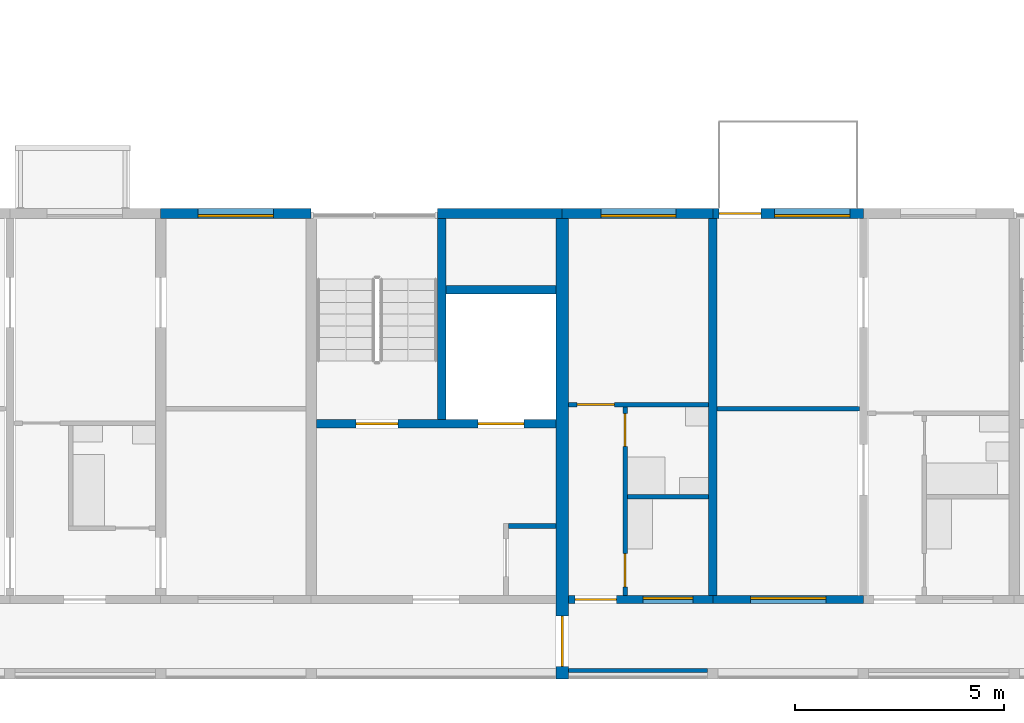
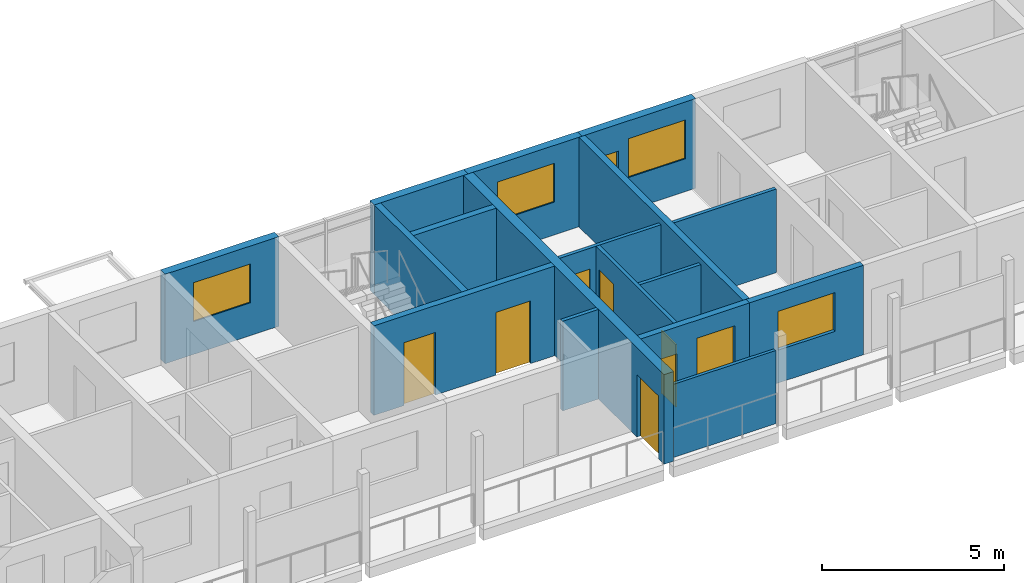
# One storey, part 47 of 99: 17 walls, 8 doors, 5 windows, 13 openings.
"""IFC4 building model written with IfcOpenShell, lengths in metres."""

from ifc_helpers import new_model, si_unit, direction, frame, frame_2d, origin, place, context, subcontext, project, spatial, rectangle, extrude, material, layer, layer_set, type_object, element, fill, save


model = new_model("IFC4")

# Units and contexts
model_context = context("Model", 3, precision=1e-05, world=origin(), true_north=direction((0.0, 1.0)))
body_context = subcontext(model_context, "Body", "Model", "MODEL_VIEW")
ifc_project = project(units=[si_unit("LENGTHUNIT", "METRE"), si_unit("AREAUNIT", "SQUARE_METRE"), si_unit("VOLUMEUNIT", "CUBIC_METRE"), si_unit("PLANEANGLEUNIT", "RADIAN"), si_unit("MASSUNIT", "GRAM", prefix="KILO")], contexts=[model_context])

# Site, building, storey
site_placement = place(None, origin())
site = spatial("IfcSite", under=ifc_project, at=site_placement, CompositionType="ELEMENT")
building_placement = place(site_placement, origin())
building = spatial("IfcBuilding", under=site, at=building_placement, Name="Ridgestep Commons", CompositionType="ELEMENT")
storey_placement = place(building_placement, frame((0.0, 0.0, 15.0)))
storey = spatial("IfcBuildingStorey", under=building, at=storey_placement, Name="L05", CompositionType="ELEMENT", Elevation=15.0)

# Wall
ifc_material_1 = material(Name="Concrete C30/37", Category="concrete")
ifc_layer_1 = layer(ifc_material_1, 0.1201171875)
ifc_layer_set_1 = layer_set([ifc_layer_1], Name="Core wall 120")
wall_type_1 = type_object("IfcWallType", Name="Core wall 120", PredefinedType="SHEAR", material=ifc_layer_set_1)
wall_1_placement = place(storey_placement, frame((195.919921875, 15.409912109375, 0.0), z_axis=(0.0, 0.0, 1.0), x_axis=(1.0, 0.0, 0.0)))
element("IfcWall", 1, at=wall_1_placement, inside=storey, type_object=wall_type_1, Name="Core riser n wall D3C L05", PredefinedType="SHEAR", context=body_context, shape_type="SweptSolid", body=[
    extrude(rectangle(XDim=1.130126953125, YDim=0.1201171875, at=frame_2d((0.56494140625, 0.0))), origin(), (0.0, 0.0, 1.0), 3.0),
])

# Wall, openings, doors
ifc_material_2 = material(Name="Concrete C30/37", Category="concrete")
ifc_layer_2 = layer(ifc_material_2, 0.199951171875)
ifc_layer_set_2 = layer_set([ifc_layer_2], Name="Core wall 200")
wall_type_2 = type_object("IfcWallType", Name="Core wall 200", PredefinedType="SHEAR", material=ifc_layer_set_2)
wall_2_placement = place(storey_placement, frame((191.324951171875, 17.85009765625, 0.0), z_axis=(0.0, 0.0, 1.0), x_axis=(1.0, 0.0, 0.0)))
wall_2 = element("IfcWall", 2, at=wall_2_placement, inside=storey, type_object=wall_type_2, Name="Core lobby wall D3C L05", PredefinedType="SHEAR", context=body_context, shape_type="SweptSolid", body=[
    extrude(rectangle(XDim=5.72509765625, YDim=0.199951171875, at=frame_2d((2.862548828125, 0.0))), origin(), (0.0, 0.0, 1.0), 3.0),
])
opening_1_placement = place(wall_2_placement, frame((0.949951171875, 0.0, 0.0)))
opening_1 = element("IfcOpeningElement", 3, at=opening_1_placement, cuts=wall_2, Name="Opening D3C/05/2", PredefinedType="OPENING", context=body_context, shape_type="SweptSolid", body=[
    extrude(rectangle(XDim=1.0, YDim=2.10009765625, at=frame_2d((0.5, 1.050048828125))), frame((0.0, 0.10986328125, 0.0), z_axis=(0.0, -1.0, 0.0), x_axis=(1.0, 0.0, 0.0)), (0.0, 0.0, 1.0), 0.219970703125),
])
opening_2_placement = place(wall_2_placement, frame((3.862548828125, 0.0, 0.0)))
opening_2 = element("IfcOpeningElement", 4, at=opening_2_placement, cuts=wall_2, Name="Opening D3C/05/3", PredefinedType="OPENING", context=body_context, shape_type="SweptSolid", body=[
    extrude(rectangle(XDim=1.10009765625, YDim=2.10009765625, at=frame_2d((0.550048828125, 1.050048828125))), frame((0.0, 0.10986328125, 0.0), z_axis=(0.0, -1.0, 0.0), x_axis=(1.0, 0.0, 0.0)), (0.0, 0.0, 1.0), 0.219970703125),
])
ifc_material_3 = material(Name="Stainless steel", Category="steel")
door_type_1 = type_object("IfcDoorType", Name="Lift landing door 1100 x 2100 FD60", OperationType="DOUBLE_DOOR_SLIDING", PredefinedType="DOOR", material=ifc_material_3)
door_1_placement = place(opening_2_placement, origin())
door_1 = element("IfcDoor", 5, at=door_1_placement, inside=storey, type_object=door_type_1, Name="Landing door LD D3C L05", OperationType="DOUBLE_DOOR_SLIDING", OverallHeight=2.10009765625, OverallWidth=1.10009765625, PredefinedType="DOOR", context=body_context, shape_type="SweptSolid", body=[
    extrude(rectangle(XDim=1.10009765625, YDim=2.10009765625, at=frame_2d((0.550048828125, 1.050048828125))), frame((0.0, 0.02490234375, 0.0), z_axis=(0.0, -1.0, 0.0), x_axis=(1.0, 0.0, 0.0)), (0.0, 0.0, 1.0), 0.050048828125),
])
fill(opening_2, door_1)
ifc_material_4 = material(Name="Steel fire door", Category="steel")
door_type_2 = type_object("IfcDoorType", Name="Stair door 1000 x 2100 FD60", OperationType="NOTDEFINED", PredefinedType="DOOR", material=ifc_material_4)
door_2_placement = place(opening_1_placement, origin())
door_2 = element("IfcDoor", 6, at=door_2_placement, inside=storey, type_object=door_type_2, Name="Stair door D3C/05/2", OperationType="SINGLE_SWING_RIGHT", OverallHeight=2.10009765625, OverallWidth=1.0, PredefinedType="DOOR", context=body_context, shape_type="SweptSolid", body=[
    extrude(rectangle(XDim=1.0, YDim=2.10009765625, at=frame_2d((0.5, 1.050048828125))), frame((0.0, 0.02490234375, 0.0), z_axis=(0.0, -1.0, 0.0), x_axis=(1.0, 0.0, 0.0)), (0.0, 0.0, 1.0), 0.050048828125),
])
fill(opening_1, door_2)

# Walls
wall_3_placement = place(storey_placement, frame((194.324951171875, 17.949951171875, 0.0), z_axis=(0.0, 0.0, 1.0), x_axis=(0.0, 1.0, 0.0)))
element("IfcWall", 7, at=wall_3_placement, inside=storey, type_object=wall_type_2, Name="Core stair wall D3C L05", PredefinedType="SHEAR", context=body_context, shape_type="SweptSolid", body=[
    extrude(rectangle(XDim=4.800048828125, YDim=0.199951171875, at=frame_2d((2.39990234375, 0.0))), origin(), (0.0, 0.0, 1.0), 3.0),
])
wall_4_placement = place(storey_placement, frame((194.425048828125, 21.050048828125, 0.0), z_axis=(0.0, 0.0, 1.0), x_axis=(1.0, 0.0, 0.0)))
element("IfcWall", 8, at=wall_4_placement, inside=storey, type_object=wall_type_2, Name="Core duct wall D3C L05", PredefinedType="SHEAR", context=body_context, shape_type="SweptSolid", body=[
    extrude(rectangle(XDim=2.625, YDim=0.199951171875, at=frame_2d((1.3125, 0.0))), origin(), (0.0, 0.0, 1.0), 3.0),
])
ifc_material_5 = material(Name="Precast concrete C40/50", Category="concrete")
ifc_layer_3 = layer(ifc_material_5, 0.199951171875)
ifc_layer_set_3 = layer_set([ifc_layer_3], Name="Cross wall 200")
wall_type_3 = type_object("IfcWallType", Name="Cross wall 200", PredefinedType="SHEAR", material=ifc_layer_set_3)
wall_5_placement = place(storey_placement, frame((200.800048828125, 13.75, 0.0), z_axis=(0.0, 0.0, 1.0), x_axis=(0.0, 1.0, 0.0)))
element("IfcWall", 9, at=wall_5_placement, inside=storey, type_object=wall_type_3, Name="Cross wall D-05-2008", PredefinedType="SHEAR", context=body_context, shape_type="SweptSolid", body=[
    extrude(rectangle(XDim=9.0, YDim=0.199951171875, at=frame_2d((4.5, 0.0))), origin(), (0.0, 0.0, 1.0), 3.0),
])

# Wall, opening, door
ifc_material_6 = material(Name="Precast concrete C40/50", Category="concrete")
ifc_layer_4 = layer(ifc_material_6, 0.300048828125)
ifc_layer_set_4 = layer_set([ifc_layer_4], Name="Division wall 300")
wall_type_4 = type_object("IfcWallType", Name="Division wall 300", PredefinedType="SHEAR", material=ifc_layer_set_4)
wall_6_placement = place(storey_placement, frame((197.199951171875, 11.75, 0.0), z_axis=(0.0, 0.0, 1.0), x_axis=(0.0, 1.0, 0.0)))
wall_6 = element("IfcWall", 10, at=wall_6_placement, inside=storey, type_object=wall_type_4, Name="Cross wall D-05-1972", PredefinedType="SHEAR", context=body_context, shape_type="SweptSolid", body=[
    extrude(rectangle(XDim=11.0, YDim=0.300048828125, at=frame_2d((5.5, 0.0))), origin(), (0.0, 0.0, 1.0), 3.0),
])
opening_3_placement = place(wall_6_placement, frame((0.300048828125, 0.0, 0.0)))
opening_3 = element("IfcOpeningElement", 11, at=opening_3_placement, cuts=wall_6, Name="Opening D/05/G1972", PredefinedType="OPENING", context=body_context, shape_type="SweptSolid", body=[
    extrude(rectangle(XDim=1.199951171875, YDim=2.10009765625, at=frame_2d((0.60009765625, 1.050048828125))), frame((0.0, 0.159912109375, 0.0), z_axis=(0.0, -1.0, 0.0), x_axis=(1.0, 0.0, 0.0)), (0.0, 0.0, 1.0), 0.320068359375),
])
ifc_material_7 = material(Name="Steel fire door", Category="steel")
door_type_3 = type_object("IfcDoorType", Name="Division fire door 1200 x 2100 EI 240", OperationType="DOUBLE_DOOR_SINGLE_SWING", PredefinedType="DOOR", material=ifc_material_7)
door_3_placement = place(opening_3_placement, origin())
door_3 = element("IfcDoor", 12, at=door_3_placement, inside=storey, type_object=door_type_3, Name="Division fire door D/05/G1972", OperationType="DOUBLE_DOOR_SINGLE_SWING", OverallHeight=2.10009765625, OverallWidth=1.199951171875, PredefinedType="DOOR", context=body_context, shape_type="SweptSolid", body=[
    extrude(rectangle(XDim=1.199951171875, YDim=2.10009765625, at=frame_2d((0.60009765625, 1.050048828125))), frame((0.0, 0.02490234375, 0.0), z_axis=(0.0, -1.0, 0.0), x_axis=(1.0, 0.0, 0.0)), (0.0, 0.0, 1.0), 0.050048828125),
])
fill(opening_3, door_3)

# Wall, opening, window
ifc_material_8 = material(Name="Precast concrete C40/50", Category="concrete")
ifc_layer_5 = layer(ifc_material_8, 0.25)
ifc_layer_set_5 = layer_set([ifc_layer_5], Name="North facade panel 250")
wall_type_5 = type_object("IfcWallType", Name="North facade panel 250", PredefinedType="SOLIDWALL", material=ifc_layer_set_5)
wall_7_placement = place(storey_placement, frame((187.60009765625, 22.875, 0.0), z_axis=(0.0, 0.0, 1.0), x_axis=(1.0, 0.0, 0.0)))
wall_7 = element("IfcWall", 13, at=wall_7_placement, inside=storey, type_object=wall_type_5, Name="North panel D3T3 L05", PredefinedType="SOLIDWALL", context=body_context, shape_type="SweptSolid", body=[
    extrude(rectangle(XDim=3.599853515625, YDim=0.25, at=frame_2d((1.7998046875, 0.0))), origin(), (0.0, 0.0, 1.0), 3.0),
])
opening_4_placement = place(wall_7_placement, frame((0.89990234375, 0.0, 1.10009765625)))
opening_4 = element("IfcOpeningElement", 14, at=opening_4_placement, cuts=wall_7, Name="Opening W18", PredefinedType="OPENING", context=body_context, shape_type="SweptSolid", body=[
    extrude(rectangle(XDim=1.800048828125, YDim=1.300048828125, at=frame_2d((0.89990234375, 0.64990234375))), frame((0.0, 0.135009765625, 0.0), z_axis=(0.0, -1.0, 0.0), x_axis=(1.0, 0.0, 0.0)), (0.0, 0.0, 1.0), 0.27001953125),
])
ifc_material_9 = material(Name="Aluminium 6063-T6 and glass", Category="aluminium")
window_type_1 = type_object("IfcWindowType", Name="Flat window 1800 x 1300", PartitioningType="DOUBLE_PANEL_VERTICAL", PredefinedType="WINDOW", material=ifc_material_9)
window_1_placement = place(opening_4_placement, origin())
window_1 = element("IfcWindow", 15, at=window_1_placement, inside=storey, type_object=window_type_1, Name="Window D3-05a 4", OverallHeight=1.300048828125, OverallWidth=1.800048828125, PartitioningType="SINGLE_PANEL", PredefinedType="WINDOW", context=body_context, shape_type="SweptSolid", body=[
    extrude(rectangle(XDim=1.800048828125, YDim=1.300048828125, at=frame_2d((0.89990234375, 0.64990234375))), frame((0.0, -0.02490234375, 0.0), z_axis=(0.0, -1.0, 0.0), x_axis=(1.0, 0.0, 0.0)), (0.0, 0.0, 1.0), 0.06005859375),
])
fill(opening_4, window_1)

# Wall
wall_8_placement = place(storey_placement, frame((194.22509765625, 22.875, 0.0), z_axis=(0.0, 0.0, 1.0), x_axis=(1.0, 0.0, 0.0)))
element("IfcWall", 16, at=wall_8_placement, inside=storey, type_object=wall_type_5, Name="North panel D3C L05", PredefinedType="SOLIDWALL", context=body_context, shape_type="SweptSolid", body=[
    extrude(rectangle(XDim=2.974853515625, YDim=0.25, at=frame_2d((1.4873046875, 0.0))), origin(), (0.0, 0.0, 1.0), 3.0),
])

# Wall, opening, window
wall_9_placement = place(storey_placement, frame((197.199951171875, 22.875, 0.0), z_axis=(0.0, 0.0, 1.0), x_axis=(1.0, 0.0, 0.0)))
wall_9 = element("IfcWall", 17, at=wall_9_placement, inside=storey, type_object=wall_type_5, Name="North panel D4T1 L05", PredefinedType="SOLIDWALL", context=body_context, shape_type="SweptSolid", body=[
    extrude(rectangle(XDim=3.60009765625, YDim=0.25, at=frame_2d((1.800048828125, 0.0))), origin(), (0.0, 0.0, 1.0), 3.0),
])
opening_5_placement = place(wall_9_placement, frame((0.925048828125, 0.0, 1.10009765625)))
opening_5 = element("IfcOpeningElement", 18, at=opening_5_placement, cuts=wall_9, Name="Opening W18", PredefinedType="OPENING", context=body_context, shape_type="SweptSolid", body=[
    extrude(rectangle(XDim=1.800048828125, YDim=1.300048828125, at=frame_2d((0.89990234375, 0.64990234375))), frame((0.0, 0.135009765625, 0.0), z_axis=(0.0, -1.0, 0.0), x_axis=(1.0, 0.0, 0.0)), (0.0, 0.0, 1.0), 0.27001953125),
])
window_2_placement = place(opening_5_placement, origin())
window_2 = element("IfcWindow", 19, at=window_2_placement, inside=storey, type_object=window_type_1, Name="Window D4-05a 2", OverallHeight=1.300048828125, OverallWidth=1.800048828125, PartitioningType="SINGLE_PANEL", PredefinedType="WINDOW", context=body_context, shape_type="SweptSolid", body=[
    extrude(rectangle(XDim=1.800048828125, YDim=1.300048828125, at=frame_2d((0.89990234375, 0.64990234375))), frame((0.0, -0.02490234375, 0.0), z_axis=(0.0, -1.0, 0.0), x_axis=(1.0, 0.0, 0.0)), (0.0, 0.0, 1.0), 0.06005859375),
])
fill(opening_5, window_2)

# Wall, openings, door, window
wall_10_placement = place(storey_placement, frame((200.800048828125, 22.875, 0.0), z_axis=(0.0, 0.0, 1.0), x_axis=(1.0, 0.0, 0.0)))
wall_10 = element("IfcWall", 20, at=wall_10_placement, inside=storey, type_object=wall_type_5, Name="North panel D4T2 L05", PredefinedType="SOLIDWALL", context=body_context, shape_type="SweptSolid", body=[
    extrude(rectangle(XDim=3.599853515625, YDim=0.25, at=frame_2d((1.7998046875, 0.0))), origin(), (0.0, 0.0, 1.0), 3.0),
])
opening_6_placement = place(wall_10_placement, frame((1.47509765625, 0.0, 1.10009765625)))
opening_6 = element("IfcOpeningElement", 21, at=opening_6_placement, cuts=wall_10, Name="Opening W18", PredefinedType="OPENING", context=body_context, shape_type="SweptSolid", body=[
    extrude(rectangle(XDim=1.800048828125, YDim=1.300048828125, at=frame_2d((0.89990234375, 0.64990234375))), frame((0.0, 0.135009765625, 0.0), z_axis=(0.0, -1.0, 0.0), x_axis=(1.0, 0.0, 0.0)), (0.0, 0.0, 1.0), 0.27001953125),
])
opening_7_placement = place(wall_10_placement, frame((0.14990234375, 0.0, 0.0)))
opening_7 = element("IfcOpeningElement", 22, at=opening_7_placement, cuts=wall_10, Name="Opening D4-05b/7", PredefinedType="OPENING", context=body_context, shape_type="SweptSolid", body=[
    extrude(rectangle(XDim=1.0, YDim=2.10009765625, at=frame_2d((0.5, 1.050048828125))), frame((0.0, 0.135009765625, 0.0), z_axis=(0.0, -1.0, 0.0), x_axis=(1.0, 0.0, 0.0)), (0.0, 0.0, 1.0), 0.27001953125),
])
ifc_material_10 = material(Name="Aluminium and glass", Category="aluminium")
door_type_4 = type_object("IfcDoorType", Name="Balcony door 1000 x 2100", OperationType="NOTDEFINED", PredefinedType="DOOR", material=ifc_material_10)
door_4_placement = place(opening_7_placement, origin())
door_4 = element("IfcDoor", 23, at=door_4_placement, inside=storey, type_object=door_type_4, Name="Balcony door D4-05b/7", OperationType="SINGLE_SWING_RIGHT", OverallHeight=2.10009765625, OverallWidth=1.0, PredefinedType="DOOR", context=body_context, shape_type="SweptSolid", body=[
    extrude(rectangle(XDim=1.0, YDim=2.10009765625, at=frame_2d((0.5, 1.050048828125))), frame((0.0, 0.02490234375, 0.0), z_axis=(0.0, -1.0, 0.0), x_axis=(1.0, 0.0, 0.0)), (0.0, 0.0, 1.0), 0.050048828125),
])
fill(opening_7, door_4)
window_3_placement = place(opening_6_placement, origin())
window_3 = element("IfcWindow", 24, at=window_3_placement, inside=storey, type_object=window_type_1, Name="Window D4-05b 2", OverallHeight=1.300048828125, OverallWidth=1.800048828125, PartitioningType="SINGLE_PANEL", PredefinedType="WINDOW", context=body_context, shape_type="SweptSolid", body=[
    extrude(rectangle(XDim=1.800048828125, YDim=1.300048828125, at=frame_2d((0.89990234375, 0.64990234375))), frame((0.0, -0.02490234375, 0.0), z_axis=(0.0, -1.0, 0.0), x_axis=(1.0, 0.0, 0.0)), (0.0, 0.0, 1.0), 0.06005859375),
])
fill(opening_6, window_3)

# Wall, openings, doors
ifc_material_11 = material(Name="Common brick 110 mm", Category="masonry")
ifc_layer_6 = layer(ifc_material_11, 0.110107421875)
ifc_layer_set_6 = layer_set([ifc_layer_6], Name="Partition 110")
wall_type_6 = type_object("IfcWallType", Name="Partition 110", PredefinedType="PARTITIONING", material=ifc_layer_set_6)
wall_11_placement = place(storey_placement, frame((198.705078125, 13.75, 0.0), z_axis=(0.0, 0.0, 1.0), x_axis=(0.0, 1.0, 0.0)))
wall_11 = element("IfcWall", 25, at=wall_11_placement, inside=storey, type_object=wall_type_6, Name="Partition D4-05a", PredefinedType="PARTITIONING", context=body_context, shape_type="SweptSolid", body=[
    extrude(rectangle(XDim=4.5, YDim=0.110107421875, at=frame_2d((2.25, 0.0))), origin(), (0.0, 0.0, 1.0), 2.800048828125),
])
opening_8_placement = place(wall_11_placement, frame((0.199951171875, 0.0, 0.0)))
opening_8 = element("IfcOpeningElement", 26, at=opening_8_placement, cuts=wall_11, Name="Opening D4-05a/2", PredefinedType="OPENING", context=body_context, shape_type="SweptSolid", body=[
    extrude(rectangle(XDim=0.800048828125, YDim=2.10009765625, at=frame_2d((0.39990234375, 1.050048828125))), frame((0.0, 0.06494140625, 0.0), z_axis=(0.0, -1.0, 0.0), x_axis=(1.0, 0.0, 0.0)), (0.0, 0.0, 1.0), 0.130126953125),
])
opening_9_placement = place(wall_11_placement, frame((3.550048828125, 0.0, 0.0)))
opening_9 = element("IfcOpeningElement", 27, at=opening_9_placement, cuts=wall_11, Name="Opening D4-05a/3", PredefinedType="OPENING", context=body_context, shape_type="SweptSolid", body=[
    extrude(rectangle(XDim=0.800048828125, YDim=2.10009765625, at=frame_2d((0.39990234375, 1.050048828125))), frame((0.0, 0.06494140625, 0.0), z_axis=(0.0, -1.0, 0.0), x_axis=(1.0, 0.0, 0.0)), (0.0, 0.0, 1.0), 0.130126953125),
])
ifc_material_12 = material(Name="Timber door leaf", Category="wood")
door_type_5 = type_object("IfcDoorType", Name="Internal door 800 x 2100", OperationType="NOTDEFINED", PredefinedType="DOOR", material=ifc_material_12)
door_5_placement = place(opening_8_placement, origin())
door_5 = element("IfcDoor", 28, at=door_5_placement, inside=storey, type_object=door_type_5, Name="Internal door D4-05a/2", OperationType="SINGLE_SWING_RIGHT", OverallHeight=2.10009765625, OverallWidth=0.800048828125, PredefinedType="DOOR", context=body_context, shape_type="SweptSolid", body=[
    extrude(rectangle(XDim=0.800048828125, YDim=2.10009765625, at=frame_2d((0.39990234375, 1.050048828125))), frame((0.0, 0.02490234375, 0.0), z_axis=(0.0, -1.0, 0.0), x_axis=(1.0, 0.0, 0.0)), (0.0, 0.0, 1.0), 0.050048828125),
])
fill(opening_8, door_5)
door_6_placement = place(opening_9_placement, origin())
door_6 = element("IfcDoor", 29, at=door_6_placement, inside=storey, type_object=door_type_5, Name="Internal door D4-05a/3", OperationType="SINGLE_SWING_LEFT", OverallHeight=2.10009765625, OverallWidth=0.800048828125, PredefinedType="DOOR", context=body_context, shape_type="SweptSolid", body=[
    extrude(rectangle(XDim=0.800048828125, YDim=2.10009765625, at=frame_2d((0.39990234375, 1.050048828125))), frame((0.0, 0.02490234375, 0.0), z_axis=(0.0, -1.0, 0.0), x_axis=(1.0, 0.0, 0.0)), (0.0, 0.0, 1.0), 0.050048828125),
])
fill(opening_9, door_6)

# Wall
wall_12_placement = place(storey_placement, frame((198.760009765625, 16.10498046875, 0.0), z_axis=(0.0, 0.0, 1.0), x_axis=(1.0, 0.0, 0.0)))
element("IfcWall", 30, at=wall_12_placement, inside=storey, type_object=wall_type_6, Name="Partition D4-05a", PredefinedType="PARTITIONING", context=body_context, shape_type="SweptSolid", body=[
    extrude(rectangle(XDim=1.93994140625, YDim=0.110107421875, at=frame_2d((0.969970703125, 0.0))), origin(), (0.0, 0.0, 1.0), 2.800048828125),
])

# Wall, opening, door
wall_13_placement = place(storey_placement, frame((197.35009765625, 18.304931640625, 0.0), z_axis=(0.0, 0.0, 1.0), x_axis=(1.0, 0.0, 0.0)))
wall_13 = element("IfcWall", 31, at=wall_13_placement, inside=storey, type_object=wall_type_6, Name="Partition D4-05a", PredefinedType="PARTITIONING", context=body_context, shape_type="SweptSolid", body=[
    extrude(rectangle(XDim=3.349853515625, YDim=0.110107421875, at=frame_2d((1.6748046875, 0.0))), origin(), (0.0, 0.0, 1.0), 2.800048828125),
])
opening_10_placement = place(wall_13_placement, frame((0.199951171875, 0.0, 0.0)))
opening_10 = element("IfcOpeningElement", 32, at=opening_10_placement, cuts=wall_13, Name="Opening D4-05a/4", PredefinedType="OPENING", context=body_context, shape_type="SweptSolid", body=[
    extrude(rectangle(XDim=0.89990234375, YDim=2.10009765625, at=frame_2d((0.449951171875, 1.050048828125))), frame((0.0, 0.06494140625, 0.0), z_axis=(0.0, -1.0, 0.0), x_axis=(1.0, 0.0, 0.0)), (0.0, 0.0, 1.0), 0.130126953125),
])
ifc_material_13 = material(Name="Timber door leaf", Category="wood")
door_type_6 = type_object("IfcDoorType", Name="Internal door 900 x 2100", OperationType="NOTDEFINED", PredefinedType="DOOR", material=ifc_material_13)
door_7_placement = place(opening_10_placement, origin())
door_7 = element("IfcDoor", 33, at=door_7_placement, inside=storey, type_object=door_type_6, Name="Internal door D4-05a/4", OperationType="SINGLE_SWING_LEFT", OverallHeight=2.10009765625, OverallWidth=0.89990234375, PredefinedType="DOOR", context=body_context, shape_type="SweptSolid", body=[
    extrude(rectangle(XDim=0.89990234375, YDim=2.10009765625, at=frame_2d((0.449951171875, 1.050048828125))), frame((0.0, 0.02490234375, 0.0), z_axis=(0.0, -1.0, 0.0), x_axis=(1.0, 0.0, 0.0)), (0.0, 0.0, 1.0), 0.050048828125),
])
fill(opening_10, door_7)

# Walls
wall_14_placement = place(storey_placement, frame((200.89990234375, 18.205078125, 0.0), z_axis=(0.0, 0.0, 1.0), x_axis=(1.0, 0.0, 0.0)))
element("IfcWall", 34, at=wall_14_placement, inside=storey, type_object=wall_type_6, Name="Partition D4-05b", PredefinedType="PARTITIONING", context=body_context, shape_type="SweptSolid", body=[
    extrude(rectangle(XDim=3.400146484375, YDim=0.110107421875, at=frame_2d((1.7001953125, 0.0))), origin(), (0.0, 0.0, 1.0), 2.800048828125),
])
ifc_material_14 = material(Name="Precast concrete C30/37", Category="concrete")
ifc_layer_7 = layer(ifc_material_14, 0.10009765625)
ifc_layer_set_7 = layer_set([ifc_layer_7], Name="Perforated gallery screen 3325 x 2450 x 100")
wall_type_7 = type_object("IfcWallType", Name="Perforated gallery screen 3325 x 2450 x 100", PredefinedType="SOLIDWALL", material=ifc_layer_set_7)
wall_15_placement = place(storey_placement, frame((197.35009765625, 11.949951171875, 0.0), z_axis=(0.0, 0.0, 1.0), x_axis=(1.0, 0.0, 0.0)))
element("IfcWall", 35, at=wall_15_placement, inside=storey, type_object=wall_type_7, Name="Gallery screen D4T1 05", PredefinedType="SOLIDWALL", context=body_context, shape_type="SweptSolid", body=[
    extrude(rectangle(XDim=3.324951171875, YDim=0.10009765625, at=frame_2d((1.66259765625, 0.0))), origin(), (0.0, 0.0, 1.0), 2.449951171875),
])

# Wall, openings, door, window
ifc_material_15 = material(Name="Precast concrete C40/50", Category="concrete")
ifc_layer_8 = layer(ifc_material_15, 0.199951171875)
ifc_layer_set_8 = layer_set([ifc_layer_8], Name="South facade panel 200")
wall_type_8 = type_object("IfcWallType", Name="South facade panel 200", PredefinedType="SOLIDWALL", material=ifc_layer_set_8)
wall_16_placement = place(storey_placement, frame((197.35009765625, 13.64990234375, 0.0), z_axis=(0.0, 0.0, 1.0), x_axis=(1.0, 0.0, 0.0)))
wall_16 = element("IfcWall", 36, at=wall_16_placement, inside=storey, type_object=wall_type_8, Name="South panel D4T1 L05", PredefinedType="SOLIDWALL", context=body_context, shape_type="SweptSolid", body=[
    extrude(rectangle(XDim=3.449951171875, YDim=0.199951171875, at=frame_2d((1.72509765625, 0.0))), origin(), (0.0, 0.0, 1.0), 3.0),
])
opening_11_placement = place(wall_16_placement, frame((1.780029296875, 0.0, 1.10009765625)))
opening_11 = element("IfcOpeningElement", 37, at=opening_11_placement, cuts=wall_16, Name="Opening W08", PredefinedType="OPENING", context=body_context, shape_type="SweptSolid", body=[
    extrude(rectangle(XDim=1.199951171875, YDim=1.300048828125, at=frame_2d((0.60009765625, 0.64990234375))), frame((0.0, 0.10986328125, 0.0), z_axis=(0.0, -1.0, 0.0), x_axis=(1.0, 0.0, 0.0)), (0.0, 0.0, 1.0), 0.219970703125),
])
opening_12_placement = place(wall_16_placement, frame((0.14990234375, 0.0, 0.0)))
opening_12 = element("IfcOpeningElement", 38, at=opening_12_placement, cuts=wall_16, Name="Opening D4-05a/1", PredefinedType="OPENING", context=body_context, shape_type="SweptSolid", body=[
    extrude(rectangle(XDim=1.0, YDim=2.10009765625, at=frame_2d((0.5, 1.050048828125))), frame((0.0, 0.10986328125, 0.0), z_axis=(0.0, -1.0, 0.0), x_axis=(1.0, 0.0, 0.0)), (0.0, 0.0, 1.0), 0.219970703125),
])
ifc_material_16 = material(Name="Timber door leaf", Category="wood")
door_type_7 = type_object("IfcDoorType", Name="Flat entrance door 1000 x 2100 FD30S", OperationType="NOTDEFINED", PredefinedType="DOOR", material=ifc_material_16)
door_8_placement = place(opening_12_placement, origin())
door_8 = element("IfcDoor", 39, at=door_8_placement, inside=storey, type_object=door_type_7, Name="Flat entrance door D4-05a/1", OperationType="SINGLE_SWING_LEFT", OverallHeight=2.10009765625, OverallWidth=1.0, PredefinedType="DOOR", context=body_context, shape_type="SweptSolid", body=[
    extrude(rectangle(XDim=1.0, YDim=2.10009765625, at=frame_2d((0.5, 1.050048828125))), frame((0.0, 0.02490234375, 0.0), z_axis=(0.0, -1.0, 0.0), x_axis=(1.0, 0.0, 0.0)), (0.0, 0.0, 1.0), 0.050048828125),
])
fill(opening_12, door_8)
ifc_material_17 = material(Name="Aluminium 6063-T6 and glass", Category="aluminium")
window_type_2 = type_object("IfcWindowType", Name="Flat window 1200 x 1300", PartitioningType="SINGLE_PANEL", PredefinedType="WINDOW", material=ifc_material_17)
window_4_placement = place(opening_11_placement, origin())
window_4 = element("IfcWindow", 40, at=window_4_placement, inside=storey, type_object=window_type_2, Name="Window D4-05a 1", OverallHeight=1.300048828125, OverallWidth=1.199951171875, PartitioningType="SINGLE_PANEL", PredefinedType="WINDOW", context=body_context, shape_type="SweptSolid", body=[
    extrude(rectangle(XDim=1.199951171875, YDim=1.300048828125, at=frame_2d((0.60009765625, 0.64990234375))), frame((0.0, 0.06005859375, 0.0), z_axis=(0.0, -1.0, 0.0), x_axis=(1.0, 0.0, 0.0)), (0.0, 0.0, 1.0), 0.06005859375),
])
fill(opening_11, window_4)

# Wall, opening, window
wall_17_placement = place(storey_placement, frame((200.800048828125, 13.64990234375, 0.0), z_axis=(0.0, 0.0, 1.0), x_axis=(1.0, 0.0, 0.0)))
wall_17 = element("IfcWall", 41, at=wall_17_placement, inside=storey, type_object=wall_type_8, Name="South panel D4T2 L05", PredefinedType="SOLIDWALL", context=body_context, shape_type="SweptSolid", body=[
    extrude(rectangle(XDim=3.599853515625, YDim=0.199951171875, at=frame_2d((1.7998046875, 0.0))), origin(), (0.0, 0.0, 1.0), 3.0),
])
opening_13_placement = place(wall_17_placement, frame((0.89990234375, 0.0, 1.10009765625)))
opening_13 = element("IfcOpeningElement", 42, at=opening_13_placement, cuts=wall_17, Name="Opening W18", PredefinedType="OPENING", context=body_context, shape_type="SweptSolid", body=[
    extrude(rectangle(XDim=1.800048828125, YDim=1.300048828125, at=frame_2d((0.89990234375, 0.64990234375))), frame((0.0, 0.10986328125, 0.0), z_axis=(0.0, -1.0, 0.0), x_axis=(1.0, 0.0, 0.0)), (0.0, 0.0, 1.0), 0.219970703125),
])
window_5_placement = place(opening_13_placement, origin())
window_5 = element("IfcWindow", 43, at=window_5_placement, inside=storey, type_object=window_type_1, Name="Window D4-05b 1", OverallHeight=1.300048828125, OverallWidth=1.800048828125, PartitioningType="SINGLE_PANEL", PredefinedType="WINDOW", context=body_context, shape_type="SweptSolid", body=[
    extrude(rectangle(XDim=1.800048828125, YDim=1.300048828125, at=frame_2d((0.89990234375, 0.64990234375))), frame((0.0, 0.06005859375, 0.0), z_axis=(0.0, -1.0, 0.0), x_axis=(1.0, 0.0, 0.0)), (0.0, 0.0, 1.0), 0.06005859375),
])
fill(opening_13, window_5)

save(model, "model.ifc")
